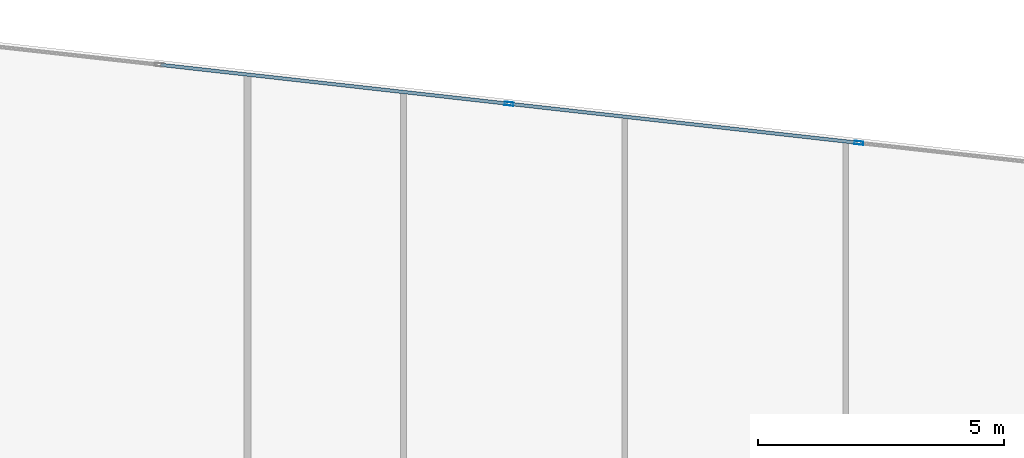
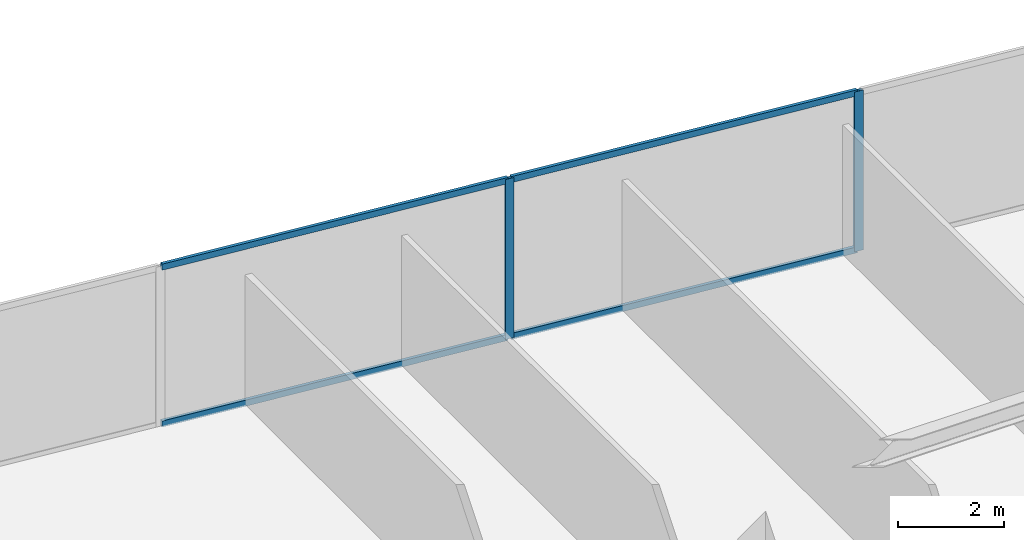
# One storey, part 19 of 29: 6 members, 1 element without a shape of its own.
"""IFC4 building model written with IfcOpenShell, lengths in metres."""

from ifc_helpers import new_model, si_unit, direction, frame, origin, origin_2d, place, context, subcontext, project, spatial, hollow_rectangle, extrude, source, transform, mapped, material, material_profile, profile_set, type_object, type_shapes, element, aggregate, save


model = new_model("IFC4")

# Units and contexts
model_context = context("Model", 3, precision=1e-05, world=origin(), true_north=direction((0.0, 1.0)))
body_context = subcontext(model_context, "Body", "Model", "MODEL_VIEW")
ifc_project = project(units=[si_unit("LENGTHUNIT", "METRE"), si_unit("AREAUNIT", "SQUARE_METRE"), si_unit("VOLUMEUNIT", "CUBIC_METRE"), si_unit("PLANEANGLEUNIT", "RADIAN"), si_unit("MASSUNIT", "GRAM", prefix="KILO")], contexts=[model_context])

# Site, building, storey
site_placement = place(None, origin())
site = spatial("IfcSite", under=ifc_project, at=site_placement, CompositionType="ELEMENT")
building_placement = place(site_placement, origin())
building = spatial("IfcBuilding", under=site, at=building_placement, Name="Krantzveldt Concourse Tower", CompositionType="ELEMENT")
storey_placement = place(building_placement, frame((0.0, 0.0, 60.550048828125)))
storey = spatial("IfcBuildingStorey", under=building, at=storey_placement, Name="L14", CompositionType="ELEMENT", Elevation=60.550048828125)

# Curtain wall, members
ifc_material = material(Name="Anodised aluminium 6063-T6", Category="aluminium")
curtain_wall_type = type_object("IfcCurtainWallType", Name="CW2", PredefinedType="USERDEFINED", material=ifc_material)
curtain_wall_placement = place(storey_placement, origin())
curtain_wall = element("IfcCurtainWall", 1, at=curtain_wall_placement, inside=storey, type_object=curtain_wall_type, Name="CW-L14-F10", ObjectType="UNITISED CURTAIN WALL", PredefinedType="USERDEFINED")
ifc_material_profile_1 = material_profile(ifc_material, hollow_rectangle(XDim=0.070068359375, YDim=0.179931640625, WallThickness=0.0048828125, at=origin_2d()), Name="Anodised aluminium 6063-T6", Category="aluminium")
ifc_profile_set_1 = profile_set([ifc_material_profile_1], Name="Anodised aluminium 6063-T6 - ALU-MULL 180x70x5")
member_type_1 = type_object("IfcMemberType", Name="CW-MUL-180", PredefinedType="MULLION", material=ifc_profile_set_1)
shared_shape_1 = source(origin(), body_context, "Body", "SweptSolid", [
    extrude(hollow_rectangle(XDim=0.070068359375, YDim=0.179931640625, WallThickness=0.0048828125, at=origin_2d()), origin(), (0.0, 0.0, 1.0), 3.669921875),
])
type_shapes(member_type_1, [shared_shape_1])
member_1_placement = place(storey_placement, frame((38.765869140625, 51.4560546875, 0.0), z_axis=(0.0, 0.0, 1.0), x_axis=(-0.111035342863, -0.993816458223, 0.0)))
member_1 = element("IfcMember", 2, at=member_1_placement, type_object=member_type_1, Name="CW-Z12 mullion 4", PredefinedType="MULLION", context=body_context, shape_type="MappedRepresentation", body=[
    mapped(shared_shape_1, transform((0.0, 0.0, 0.0), x_axis=(1.0, 0.0, 0.0), y_axis=(0.0, 1.0, 0.0), z_axis=(0.0, 0.0, 1.0), scale=1.0)),
])
member_2_placement = place(storey_placement, frame((31.6435546875, 52.251708984375, 0.0), z_axis=(0.0, 0.0, 1.0), x_axis=(-0.111035342863, -0.993816458223, 0.0)))
member_2 = element("IfcMember", 3, at=member_2_placement, type_object=member_type_1, Name="CW-Z12 mullion 5", PredefinedType="MULLION", context=body_context, shape_type="MappedRepresentation", body=[
    mapped(shared_shape_1, transform((0.0, 0.0, 0.0), x_axis=(1.0, 0.0, 0.0), y_axis=(0.0, 1.0, 0.0), z_axis=(0.0, 0.0, 1.0), scale=1.0)),
])
ifc_material_profile_2 = material_profile(ifc_material, hollow_rectangle(XDim=0.070068359375, YDim=0.139892578125, WallThickness=0.0048828125, at=origin_2d()), Name="Anodised aluminium 6063-T6", Category="aluminium")
ifc_profile_set_2 = profile_set([ifc_material_profile_2], Name="Anodised aluminium 6063-T6 - ALU-TRAN 140x70x5")
member_type_2 = type_object("IfcMemberType", Name="CW-TRN-150", PredefinedType="USERDEFINED", material=ifc_profile_set_2)
shared_shape_2 = source(origin(), body_context, "Body", "SweptSolid", [
    extrude(hollow_rectangle(XDim=0.070068359375, YDim=0.139892578125, WallThickness=0.0048828125, at=origin_2d()), origin(), (0.0, 0.0, 1.0), 7.0966796875),
])
member_3_placement = place(storey_placement, frame((31.608642578125, 52.255615234375, 0.034912109375), z_axis=(-0.993814737088, 0.111050746722, 0.0), x_axis=(-0.111050746722, -0.993814737088, 0.0)))
member_3 = element("IfcMember", 4, at=member_3_placement, type_object=member_type_2, Name="CW-Z12 transom 5.1", ObjectType="TRANSOM", PredefinedType="USERDEFINED", context=body_context, shape_type="MappedRepresentation", body=[
    mapped(shared_shape_2, transform((0.0, 0.0, 0.0), x_axis=(1.0, 0.0, 0.0), y_axis=(0.0, 1.0, 0.0), z_axis=(0.0, 0.0, 1.0), scale=1.0)),
])
member_4_placement = place(storey_placement, frame((31.608642578125, 52.255615234375, 3.635009765625), z_axis=(-0.993814737088, 0.111050746722, 0.0), x_axis=(-0.111050746722, -0.993814737088, 0.0)))
member_4 = element("IfcMember", 5, at=member_4_placement, type_object=member_type_2, Name="CW-Z12 transom 5.2", ObjectType="TRANSOM", PredefinedType="USERDEFINED", context=body_context, shape_type="MappedRepresentation", body=[
    mapped(shared_shape_2, transform((0.0, 0.0, 0.0), x_axis=(1.0, 0.0, 0.0), y_axis=(0.0, 1.0, 0.0), z_axis=(0.0, 0.0, 1.0), scale=1.0)),
])
shared_shape_3 = source(origin(), body_context, "Body", "SweptSolid", [
    extrude(hollow_rectangle(XDim=0.070068359375, YDim=0.139892578125, WallThickness=0.0048828125, at=origin_2d()), origin(), (0.0, 0.0, 1.0), 7.096923828125),
])
type_shapes(member_type_2, [shared_shape_2, shared_shape_3])
member_5_placement = place(storey_placement, frame((38.731201171875, 51.4599609375, 0.034912109375), z_axis=(-0.993818957275, 0.111012972935, 0.0), x_axis=(-0.111012972935, -0.993818957275, 0.0)))
member_5 = element("IfcMember", 6, at=member_5_placement, type_object=member_type_2, Name="CW-Z12 transom 4.1", ObjectType="TRANSOM", PredefinedType="USERDEFINED", context=body_context, shape_type="MappedRepresentation", body=[
    mapped(shared_shape_3, transform((0.0, 0.0, 0.0), x_axis=(1.0, 0.0, 0.0), y_axis=(0.0, 1.0, 0.0), z_axis=(0.0, 0.0, 1.0), scale=1.0)),
])
member_6_placement = place(storey_placement, frame((38.731201171875, 51.4599609375, 3.635009765625), z_axis=(-0.993818957275, 0.111012972935, 0.0), x_axis=(-0.111012972935, -0.993818957275, 0.0)))
member_6 = element("IfcMember", 7, at=member_6_placement, type_object=member_type_2, Name="CW-Z12 transom 4.2", ObjectType="TRANSOM", PredefinedType="USERDEFINED", context=body_context, shape_type="MappedRepresentation", body=[
    mapped(shared_shape_3, transform((0.0, 0.0, 0.0), x_axis=(1.0, 0.0, 0.0), y_axis=(0.0, 1.0, 0.0), z_axis=(0.0, 0.0, 1.0), scale=1.0)),
])
aggregate(curtain_wall, [member_1, member_2, member_5, member_6, member_3, member_4])

save(model, "model.ifc")
